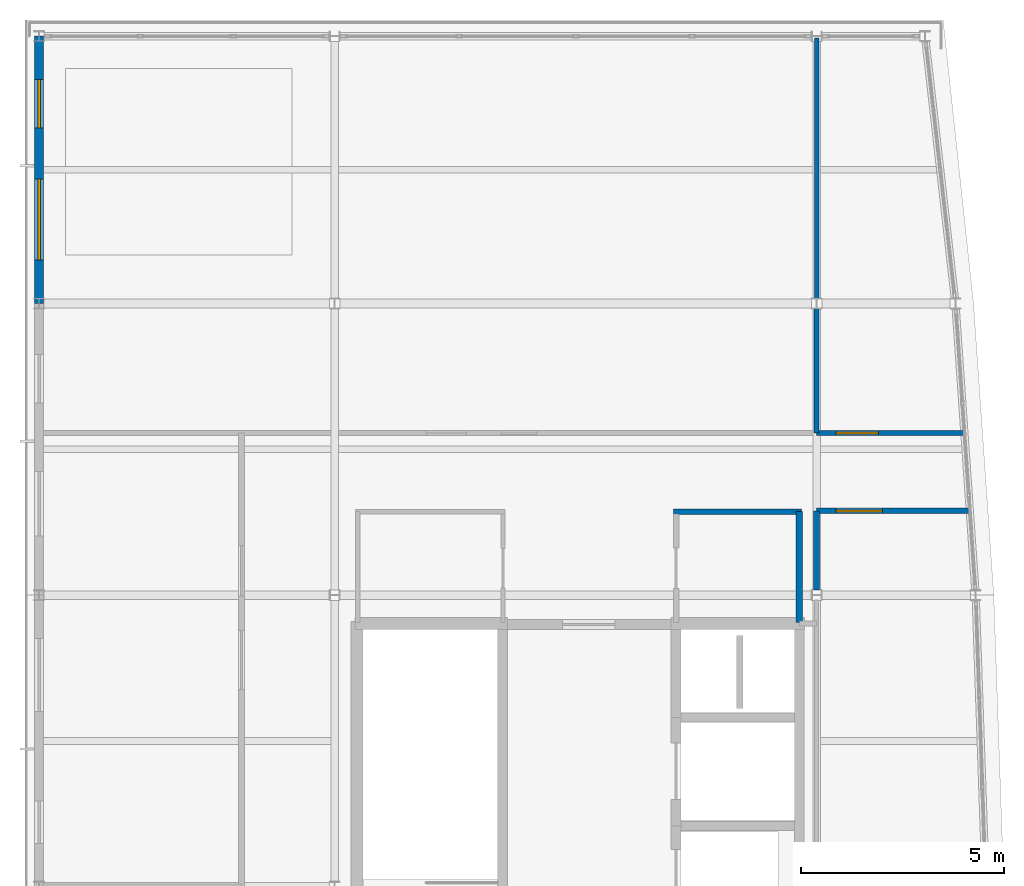
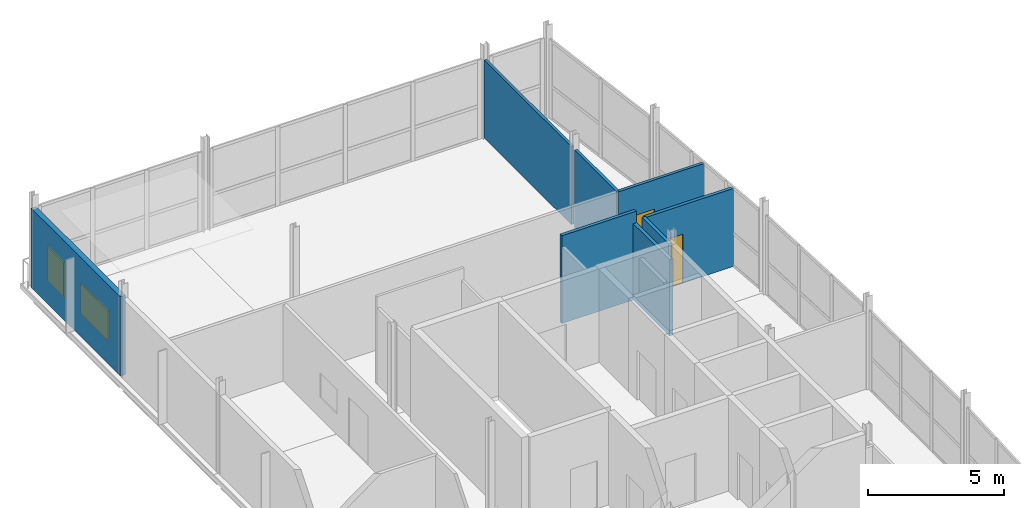
# One storey, part 13 of 14: 8 walls, 2 doors, 2 windows, 4 openings.
"""IFC4 building model written with IfcOpenShell, lengths in metres."""

from ifc_helpers import new_model, si_unit, direction, frame, frame_2d, origin, place, context, subcontext, project, spatial, rectangle, extrude, material, layer, layer_set, type_object, element, fill, save


model = new_model("IFC4")

# Units and contexts
model_context = context("Model", 3, precision=1e-05, world=origin(), true_north=direction((0.0, 1.0)))
body_context = subcontext(model_context, "Body", "Model", "MODEL_VIEW")
ifc_project = project(units=[si_unit("LENGTHUNIT", "METRE"), si_unit("AREAUNIT", "SQUARE_METRE"), si_unit("VOLUMEUNIT", "CUBIC_METRE"), si_unit("PLANEANGLEUNIT", "RADIAN"), si_unit("MASSUNIT", "GRAM", prefix="KILO")], contexts=[model_context])

# Site, building, storey
site_placement = place(None, origin())
site = spatial("IfcSite", under=ifc_project, at=site_placement, CompositionType="ELEMENT")
building_placement = place(site_placement, origin())
building = spatial("IfcBuilding", under=site, at=building_placement, Name="Quillay Park Conservatory", CompositionType="ELEMENT")
storey_placement = place(building_placement, frame((0.0, 0.0, 64.5)))
storey = spatial("IfcBuildingStorey", under=building, at=storey_placement, Name="L15", CompositionType="ELEMENT", Elevation=64.5)

# Walls
ifc_material_1 = material(Name="Steel-Stud Acoustic Gypsum Board Partition", Category="steel")
ifc_layer_1 = layer(ifc_material_1, 0.114990234375)
ifc_layer_set_1 = layer_set([ifc_layer_1], Name="ACOUSTIC GYPSUM PARTITION 115 (Steel-Stud Acoustic Gypsum Board Partition)")
wall_type_1 = type_object("IfcWallType", Name="ACOUSTIC GYPSUM PARTITION 115", PredefinedType="PARTITIONING", material=ifc_layer_set_1)
wall_1_placement = place(storey_placement, frame((19.75, 113.35009765625, 0.0), z_axis=(0.0, 0.0, 1.0), x_axis=(0.0, -1.0, 0.0)))
element("IfcWall", 1, at=wall_1_placement, inside=storey, type_object=wall_type_1, Name="L15 North Divider 19 N", PredefinedType="PARTITIONING", context=body_context, shape_type="SweptSolid", body=[
    extrude(rectangle(XDim=6.425048828125, YDim=0.114990234375, at=frame_2d((3.21240234375, 0.0))), origin(), (0.0, 0.0, 1.0), 3.511962890625),
])
ifc_material_2 = material(Name="Steel-Stud Acoustic Gypsum Board Partition", Category="steel")
ifc_layer_2 = layer(ifc_material_2, 0.1201171875)
ifc_layer_set_2 = layer_set([ifc_layer_2], Name="ACOUSTIC GYPSUM PARTITION 120 (Steel-Stud Acoustic Gypsum Board Partition)")
wall_type_2 = type_object("IfcWallType", Name="ACOUSTIC GYPSUM PARTITION 120", PredefinedType="PARTITIONING", material=ifc_layer_set_2)
wall_2_placement = place(storey_placement, frame((19.75, 106.675048828125, 0.0), z_axis=(0.0, 0.0, 1.0), x_axis=(0.0, -1.0, 0.0)))
element("IfcWall", 2, at=wall_2_placement, inside=storey, type_object=wall_type_2, Name="L15 North Divider 19 S", PredefinedType="PARTITIONING", context=body_context, shape_type="SweptSolid", body=[
    extrude(rectangle(XDim=3.074951171875, YDim=0.1201171875, at=frame_2d((1.53759765625, 0.0))), origin(), (0.0, 0.0, 1.0), 3.511962890625),
])

# Wall, opening, door
ifc_material_3 = material(Name="Steel-Stud Acoustic Gypsum Board Partition", Category="steel")
ifc_layer_3 = layer(ifc_material_3, 0.125)
ifc_layer_set_3 = layer_set([ifc_layer_3], Name="ACOUSTIC GYPSUM PARTITION 125 (Steel-Stud Acoustic Gypsum Board Partition)")
wall_type_3 = type_object("IfcWallType", Name="ACOUSTIC GYPSUM PARTITION 125", PredefinedType="PARTITIONING", material=ifc_layer_set_3)
wall_3_placement = place(storey_placement, frame((19.75, 103.60009765625, 0.0), z_axis=(0.0, 0.0, 1.0), x_axis=(1.0, 0.0, 0.0)))
wall_3 = element("IfcWall", 3, at=wall_3_placement, inside=storey, type_object=wall_type_3, Name="L15 Rare Flora Archive and Phenology Room South Wall", PredefinedType="PARTITIONING", context=body_context, shape_type="SweptSolid", body=[
    extrude(rectangle(XDim=3.6650390625, YDim=0.125, at=frame_2d((1.83251953125, 0.0))), origin(), (0.0, 0.0, 1.0), 3.511962890625),
])
opening_1_placement = place(wall_3_placement, frame((0.47509765625, 0.0, 0.0)))
opening_1 = element("IfcOpeningElement", 4, at=opening_1_placement, cuts=wall_3, Name="Opening D-RM15", PredefinedType="OPENING", context=body_context, shape_type="SweptSolid", body=[
    extrude(rectangle(XDim=1.050048828125, YDim=2.199951171875, at=frame_2d((0.52490234375, 1.10009765625))), frame((0.0, 0.0625, 0.0), z_axis=(0.0, -1.0, 0.0), x_axis=(1.0, 0.0, 0.0)), (0.0, 0.0, 1.0), 0.125),
])
ifc_material_4 = material(Name="Thermally Broken Anodised Aluminium 6063-T6", Category="aluminium")
door_type_1 = type_object("IfcDoorType", Name="SINGLE SWING DOOR 1050 X2200", OperationType="NOTDEFINED", PredefinedType="DOOR", material=ifc_material_4)
door_1_placement = place(opening_1_placement, origin())
door_1 = element("IfcDoor", 5, at=door_1_placement, inside=storey, type_object=door_type_1, Name="L15 Door to Rare Flora Archive and Phenology Room", OperationType="SINGLE_SWING_LEFT", OverallHeight=2.199951171875, OverallWidth=1.050048828125, PredefinedType="DOOR", context=body_context, shape_type="SweptSolid", body=[
    extrude(rectangle(XDim=1.050048828125, YDim=2.199951171875, at=frame_2d((0.52490234375, 1.10009765625))), frame((0.0, 0.02490234375, 0.0), z_axis=(0.0, -1.0, 0.0), x_axis=(1.0, 0.0, 0.0)), (0.0, 0.0, 1.0), 0.050048828125),
])
fill(opening_1, door_1)

# Wall
ifc_material_5 = material(Name="Steel-Stud Acoustic Gypsum Board Partition", Category="steel")
ifc_layer_4 = layer(ifc_material_5, 0.139892578125)
ifc_layer_set_4 = layer_set([ifc_layer_4], Name="ACOUSTIC GYPSUM PARTITION 140 (Steel-Stud Acoustic Gypsum Board Partition)")
wall_type_4 = type_object("IfcWallType", Name="ACOUSTIC GYPSUM PARTITION 140", PredefinedType="PARTITIONING", material=ifc_layer_set_4)
wall_4_placement = place(storey_placement, frame((19.3798828125, 101.659912109375, 0.0), z_axis=(0.0, 0.0, 1.0), x_axis=(-1.0, 0.0, 0.0)))
element("IfcWall", 6, at=wall_4_placement, inside=storey, type_object=wall_type_4, Name="L15 Washroom North Wall", PredefinedType="PARTITIONING", context=body_context, shape_type="SweptSolid", body=[
    extrude(rectangle(XDim=3.159912109375, YDim=0.139892578125, at=frame_2d((1.580078125, 0.0))), origin(), (0.0, 0.0, 1.0), 3.949951171875),
])

# Wall, opening, door
wall_5_placement = place(storey_placement, frame((19.75, 101.679931640625, 0.0), z_axis=(0.0, 0.0, 1.0), x_axis=(1.0, 0.0, 0.0)))
wall_5 = element("IfcWall", 7, at=wall_5_placement, inside=storey, type_object=wall_type_4, Name="L15 Alpine Aerobiology Sampling Laboratory North Door Wall", PredefinedType="PARTITIONING", context=body_context, shape_type="SweptSolid", body=[
    extrude(rectangle(XDim=3.7900390625, YDim=0.139892578125, at=frame_2d((1.89501953125, 0.0))), origin(), (0.0, 0.0, 1.0), 3.511962890625),
])
opening_2_placement = place(wall_5_placement, frame((0.47509765625, 0.0, 0.0)))
opening_2 = element("IfcOpeningElement", 8, at=opening_2_placement, cuts=wall_5, Name="Opening D-RM17", PredefinedType="OPENING", context=body_context, shape_type="SweptSolid", body=[
    extrude(rectangle(XDim=1.14990234375, YDim=2.199951171875, at=frame_2d((0.574951171875, 1.10009765625))), frame((0.0, 0.06982421875, 0.0), z_axis=(0.0, -1.0, 0.0), x_axis=(1.0, 0.0, 0.0)), (0.0, 0.0, 1.0), 0.139892578125),
])
ifc_material_6 = material(Name="Thermally Broken Anodised Aluminium 6063-T6", Category="aluminium")
door_type_2 = type_object("IfcDoorType", Name="SINGLE SWING DOOR 1150 X2200", OperationType="NOTDEFINED", PredefinedType="DOOR", material=ifc_material_6)
door_2_placement = place(opening_2_placement, origin())
door_2 = element("IfcDoor", 9, at=door_2_placement, inside=storey, type_object=door_type_2, Name="L15 Door to Alpine Aerobiology Sampling Laboratory", OperationType="SINGLE_SWING_LEFT", OverallHeight=2.199951171875, OverallWidth=1.14990234375, PredefinedType="DOOR", context=body_context, shape_type="SweptSolid", body=[
    extrude(rectangle(XDim=1.14990234375, YDim=2.199951171875, at=frame_2d((0.574951171875, 1.10009765625))), frame((0.0, 0.02490234375, 0.0), z_axis=(0.0, -1.0, 0.0), x_axis=(1.0, 0.0, 0.0)), (0.0, 0.0, 1.0), 0.050048828125),
])
fill(opening_2, door_2)

# Walls
ifc_material_7 = material(Name="Steel-Stud Acoustic Gypsum Board Partition", Category="steel")
ifc_layer_5 = layer(ifc_material_7, 0.14990234375)
ifc_layer_set_5 = layer_set([ifc_layer_5], Name="ACOUSTIC GYPSUM PARTITION 150 (Steel-Stud Acoustic Gypsum Board Partition)")
wall_type_5 = type_object("IfcWallType", Name="ACOUSTIC GYPSUM PARTITION 150", PredefinedType="PARTITIONING", material=ifc_layer_set_5)
wall_6_placement = place(storey_placement, frame((19.320068359375, 98.919921875, 0.0), z_axis=(0.0, 0.0, 1.0), x_axis=(0.0, 1.0, 0.0)))
element("IfcWall", 10, at=wall_6_placement, inside=storey, type_object=wall_type_5, Name="L15 Washroom East Wall", PredefinedType="PARTITIONING", context=body_context, shape_type="SweptSolid", body=[
    extrude(rectangle(XDim=2.739990234375, YDim=0.14990234375, at=frame_2d((1.3701171875, 0.0))), origin(), (0.0, 0.0, 1.0), 3.43603515625),
])
wall_7_placement = place(storey_placement, frame((19.75, 99.722900390625, 0.0), z_axis=(0.0, 0.0, 1.0), x_axis=(0.0, 1.0, 0.0)))
element("IfcWall", 11, at=wall_7_placement, inside=storey, type_object=wall_type_5, Name="L15 Alpine Aerobiology Sampling Laboratory West Wall 2", PredefinedType="PARTITIONING", context=body_context, shape_type="SweptSolid", body=[
    extrude(rectangle(XDim=1.95703125, YDim=0.14990234375, at=frame_2d((0.978515625, 0.0))), origin(), (0.0, 0.0, 1.0), 3.511962890625),
])

# Wall, openings, windows
ifc_material_8 = material(Name="Glass-Fibre Reinforced Concrete (GRC) Cladding", Category="concrete")
ifc_layer_6 = layer(ifc_material_8, 0.219970703125)
ifc_layer_set_6 = layer_set([ifc_layer_6], Name="EXTERIOR SOLID WALL 220 (Glass-Fibre Reinforced Concrete (GRC) Cladding)")
wall_type_6 = type_object("IfcWallType", Name="EXTERIOR SOLID WALL 220", PredefinedType="SOLIDWALL", material=ifc_layer_set_6)
wall_8_placement = place(storey_placement, frame((0.550048828125, 106.800048828125, 0.0), z_axis=(0.0, 0.0, 1.0), x_axis=(0.0, 1.0, 0.0)))
wall_8 = element("IfcWall", 12, at=wall_8_placement, inside=storey, type_object=wall_type_6, Name="L15 External Wall WL-EXT-V4W-L15-4", PredefinedType="SOLIDWALL", context=body_context, shape_type="SweptSolid", body=[
    extrude(rectangle(XDim=6.599853515625, YDim=0.219970703125, at=frame_2d((3.2998046875, 0.0))), origin(), (0.0, 0.0, 1.0), 3.56201171875),
])
opening_3_placement = place(wall_8_placement, frame((1.070068359375, 0.0, 0.919921875)))
opening_3 = element("IfcOpeningElement", 13, at=opening_3_placement, cuts=wall_8, Name="Opening W-20", PredefinedType="OPENING", context=body_context, shape_type="SweptSolid", body=[
    extrude(rectangle(XDim=2.0, YDim=1.35009765625, at=frame_2d((1.0, 0.675048828125))), frame((0.0, 0.10986328125, 0.0), z_axis=(0.0, -1.0, 0.0), x_axis=(1.0, 0.0, 0.0)), (0.0, 0.0, 1.0), 0.219970703125),
])
opening_4_placement = place(wall_8_placement, frame((4.330078125, 0.0, 0.919921875)))
opening_4 = element("IfcOpeningElement", 14, at=opening_4_placement, cuts=wall_8, Name="Opening W-07", PredefinedType="OPENING", context=body_context, shape_type="SweptSolid", body=[
    extrude(rectangle(XDim=1.199951171875, YDim=1.550048828125, at=frame_2d((0.60009765625, 0.77490234375))), frame((0.0, 0.10986328125, 0.0), z_axis=(0.0, -1.0, 0.0), x_axis=(1.0, 0.0, 0.0)), (0.0, 0.0, 1.0), 0.219970703125),
])
ifc_material_9 = material(Name="Low-E Double Glazing (Laminated Tempered)", Category="glass")
window_type_1 = type_object("IfcWindowType", Name="FIXED CASEMENT WINDOW 1200 X1550", PartitioningType="SINGLE_PANEL", PredefinedType="WINDOW", material=ifc_material_9)
window_1_placement = place(opening_4_placement, origin())
window_1 = element("IfcWindow", 15, at=window_1_placement, inside=storey, type_object=window_type_1, Name="L15 Exterior Window 0325", OverallHeight=1.550048828125, OverallWidth=1.199951171875, PartitioningType="SINGLE_PANEL", PredefinedType="WINDOW", context=body_context, shape_type="SweptSolid", body=[
    extrude(rectangle(XDim=1.199951171875, YDim=1.550048828125, at=frame_2d((0.60009765625, 0.77490234375))), frame((0.0, 0.030029296875, 0.0), z_axis=(0.0, -1.0, 0.0), x_axis=(1.0, 0.0, 0.0)), (0.0, 0.0, 1.0), 0.06005859375),
])
fill(opening_4, window_1)
ifc_material_10 = material(Name="Low-E Double Glazing (Laminated Tempered)", Category="glass")
window_type_2 = type_object("IfcWindowType", Name="FIXED CASEMENT WINDOW 2000 X1350", PartitioningType="DOUBLE_PANEL_VERTICAL", PredefinedType="WINDOW", material=ifc_material_10)
window_2_placement = place(opening_3_placement, origin())
window_2 = element("IfcWindow", 16, at=window_2_placement, inside=storey, type_object=window_type_2, Name="L15 Exterior Window 0324", OverallHeight=1.35009765625, OverallWidth=2.0, PartitioningType="DOUBLE_PANEL_VERTICAL", PredefinedType="WINDOW", context=body_context, shape_type="SweptSolid", body=[
    extrude(rectangle(XDim=2.0, YDim=1.35009765625, at=frame_2d((1.0, 0.675048828125))), frame((0.0, 0.030029296875, 0.0), z_axis=(0.0, -1.0, 0.0), x_axis=(1.0, 0.0, 0.0)), (0.0, 0.0, 1.0), 0.06005859375),
])
fill(opening_3, window_2)

save(model, "model.ifc")
